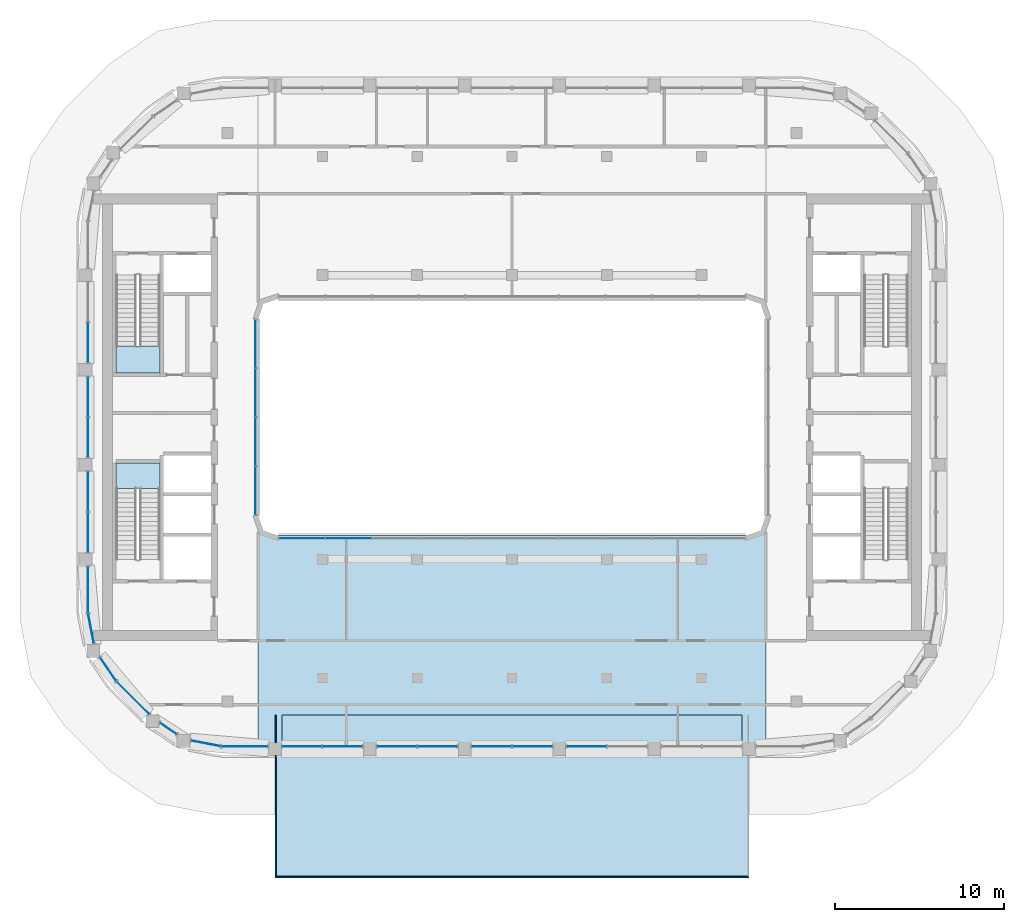
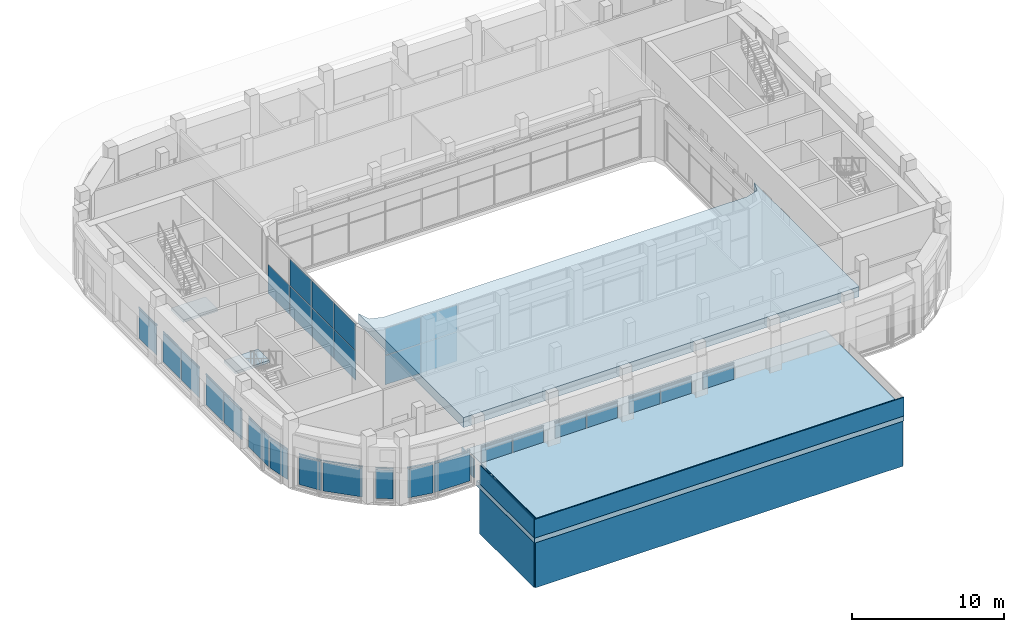
# One storey, part 10 of 23: 55 plates, 4 slabs, 18 elements without a shape of their own.
"""IFC4 building model written with IfcOpenShell, lengths in metres."""

from ifc_helpers import new_model, si_unit, direction, frame, origin, origin_2d, place, context, subcontext, project, spatial, polyline, rectangle, outline, extrude, material, layer, layer_set, type_object, element, aggregate, save


model = new_model("IFC4")

# Units and contexts
model_context = context("Model", 3, precision=1e-05, world=origin(), true_north=direction((0.0, 1.0)))
body_context = subcontext(model_context, "Body", "Model", "MODEL_VIEW")
ifc_project = project(units=[si_unit("LENGTHUNIT", "METRE"), si_unit("AREAUNIT", "SQUARE_METRE"), si_unit("VOLUMEUNIT", "CUBIC_METRE"), si_unit("PLANEANGLEUNIT", "RADIAN"), si_unit("MASSUNIT", "GRAM", prefix="KILO")], contexts=[model_context])

# Site, building, storey
site_placement = place(None, origin())
site = spatial("IfcSite", under=ifc_project, at=site_placement, CompositionType="ELEMENT")
building_placement = place(site_placement, origin())
building = spatial("IfcBuilding", under=site, at=building_placement, Name="Kiln Ring Residences", CompositionType="ELEMENT")
storey_placement = place(building_placement, frame((0.0, 0.0, 294.5)))
storey = spatial("IfcBuildingStorey", under=building, at=storey_placement, Name="L76", CompositionType="ELEMENT", Elevation=294.5)

# Stair, slab
ifc_material_1 = material(Name="Concrete C40/50", Category="concrete")
stair_type = type_object("IfcStairType", Name="CORE-STAIR", PredefinedType="HALF_TURN_STAIR", material=ifc_material_1)
placement_1 = place(storey_placement, origin())
stair_1 = element("IfcStair", 1, at=placement_1, inside=storey, type_object=stair_type, Name="L76 stair W-STN", PredefinedType="HALF_TURN_STAIR")
ifc_material_2 = material(Name="Concrete C40/50", Category="concrete")
ifc_layer_1 = layer(ifc_material_2, 0.199951171875)
ifc_layer_set_1 = layer_set([ifc_layer_1], Name="CORE-STAIR-LANDING")
slab_type_1 = type_object("IfcSlabType", Name="CORE-STAIR-LANDING", PredefinedType="LANDING", material=ifc_layer_set_1)
placement_2 = place(storey_placement, frame((0.0, 0.0, 2.5)))
slab_1 = element("IfcSlab", 2, at=placement_2, type_object=slab_type_1, Name="W-STN landing 1", PredefinedType="LANDING", context=body_context, shape_type="SweptSolid", body=[
    extrude(outline(polyline([(-23.39990234375, 4.199951171875), (-23.39990234375, 2.60009765625), (-20.800048828125, 2.60009765625), (-20.800048828125, 4.199951171875), (-23.39990234375, 4.199951171875)])), origin(), (0.0, 0.0, 1.0), 0.199951171875),
])
aggregate(stair_1, [slab_1])

stair_2 = element("IfcStair", 3, at=placement_1, inside=storey, type_object=stair_type, Name="L76 stair W-STS", PredefinedType="HALF_TURN_STAIR")
slab_2 = element("IfcSlab", 4, at=placement_2, type_object=slab_type_1, Name="W-STS landing 1", PredefinedType="LANDING", context=body_context, shape_type="SweptSolid", body=[
    extrude(outline(polyline([(-20.800048828125, -4.199951171875), (-20.800048828125, -2.699951171875), (-23.39990234375, -2.699951171875), (-23.39990234375, -4.199951171875), (-20.800048828125, -4.199951171875)])), origin(), (0.0, 0.0, 1.0), 0.199951171875),
])
aggregate(stair_2, [slab_2])

# Curtain wall, plates
ifc_material_3 = material(Name="Aluminium and glass", Category="aluminium")
ifc_layer_2 = layer(ifc_material_3, 0.179931640625)
ifc_layer_set_2 = layer_set([ifc_layer_2], Name="CW3 CURTAIN WALL")
curtain_wall_type_1 = type_object("IfcCurtainWallType", Name="CW3 CURTAIN WALL", PredefinedType="NOTDEFINED", material=ifc_layer_set_2)
curtain_wall_1 = element("IfcCurtainWall", 5, at=placement_1, inside=storey, type_object=curtain_wall_type_1, Name="Curtain wall CW3 L76", PredefinedType="NOTDEFINED")
ifc_material_4 = material(Name="Glass, clear laminated", Category="glass")
ifc_layer_3 = layer(ifc_material_4, 0.02392578125)
ifc_layer_set_3 = layer_set([ifc_layer_3], Name="CW3 PANEL 24")
plate_type_1 = type_object("IfcPlateType", Name="CW3 PANEL 24", PredefinedType="CURTAIN_PANEL", material=ifc_layer_set_3)
plate_1_placement = place(storey_placement, frame((-15.14990234375, -4.33740234375, 0.0498046875), z_axis=(0.0, 0.0, 1.0), x_axis=(0.0, 1.0, 0.0)))
plate_1 = element("IfcPlate", 6, at=plate_1_placement, type_object=plate_type_1, Name="CW3 panel 1.1", PredefinedType="CURTAIN_PANEL", context=body_context, shape_type="SweptSolid", body=[
    extrude(rectangle(XDim=2.824951171875, YDim=0.02392578125, at=origin_2d()), origin(), (0.0, 0.0, 1.0), 2.324951171875),
])
plate_2_placement = place(storey_placement, frame((-15.14990234375, -4.33740234375, 2.425048828125), z_axis=(0.0, 0.0, 1.0), x_axis=(0.0, 1.0, 0.0)))
plate_2 = element("IfcPlate", 7, at=plate_2_placement, type_object=plate_type_1, Name="CW3 panel 1.2", PredefinedType="CURTAIN_PANEL", context=body_context, shape_type="SweptSolid", body=[
    extrude(rectangle(XDim=2.824951171875, YDim=0.02392578125, at=origin_2d()), origin(), (0.0, 0.0, 1.0), 2.125),
])
plate_3_placement = place(storey_placement, frame((-15.14990234375, -1.449951171875, 0.0498046875), z_axis=(0.0, 0.0, 1.0), x_axis=(0.0, 1.0, 0.0)))
plate_3 = element("IfcPlate", 8, at=plate_3_placement, type_object=plate_type_1, Name="CW3 panel 2.1", PredefinedType="CURTAIN_PANEL", context=body_context, shape_type="SweptSolid", body=[
    extrude(rectangle(XDim=2.85009765625, YDim=0.02392578125, at=origin_2d()), origin(), (0.0, 0.0, 1.0), 2.324951171875),
])
plate_4_placement = place(storey_placement, frame((-15.14990234375, -1.449951171875, 2.425048828125), z_axis=(0.0, 0.0, 1.0), x_axis=(0.0, 1.0, 0.0)))
plate_4 = element("IfcPlate", 9, at=plate_4_placement, type_object=plate_type_1, Name="CW3 panel 2.2", PredefinedType="CURTAIN_PANEL", context=body_context, shape_type="SweptSolid", body=[
    extrude(rectangle(XDim=2.85009765625, YDim=0.02392578125, at=origin_2d()), origin(), (0.0, 0.0, 1.0), 2.125),
])
plate_5_placement = place(storey_placement, frame((-15.14990234375, 1.449951171875, 0.0498046875), z_axis=(0.0, 0.0, 1.0), x_axis=(0.0, 1.0, 0.0)))
plate_5 = element("IfcPlate", 10, at=plate_5_placement, type_object=plate_type_1, Name="CW3 panel 3.1", PredefinedType="CURTAIN_PANEL", context=body_context, shape_type="SweptSolid", body=[
    extrude(rectangle(XDim=2.85009765625, YDim=0.02392578125, at=origin_2d()), origin(), (0.0, 0.0, 1.0), 2.324951171875),
])
plate_6_placement = place(storey_placement, frame((-15.14990234375, 1.449951171875, 2.425048828125), z_axis=(0.0, 0.0, 1.0), x_axis=(0.0, 1.0, 0.0)))
plate_6 = element("IfcPlate", 11, at=plate_6_placement, type_object=plate_type_1, Name="CW3 panel 3.2", PredefinedType="CURTAIN_PANEL", context=body_context, shape_type="SweptSolid", body=[
    extrude(rectangle(XDim=2.85009765625, YDim=0.02392578125, at=origin_2d()), origin(), (0.0, 0.0, 1.0), 2.125),
])
plate_7_placement = place(storey_placement, frame((-15.14990234375, 4.33740234375, 0.0498046875), z_axis=(0.0, 0.0, 1.0), x_axis=(0.0, 1.0, 0.0)))
plate_7 = element("IfcPlate", 12, at=plate_7_placement, type_object=plate_type_1, Name="CW3 panel 4.1", PredefinedType="CURTAIN_PANEL", context=body_context, shape_type="SweptSolid", body=[
    extrude(rectangle(XDim=2.824951171875, YDim=0.02392578125, at=origin_2d()), origin(), (0.0, 0.0, 1.0), 2.324951171875),
])
aggregate(curtain_wall_1, [plate_1, plate_2, plate_3, plate_4, plate_5, plate_6, plate_7])

curtain_wall_2 = element("IfcCurtainWall", 13, at=placement_1, inside=storey, type_object=curtain_wall_type_1, Name="Curtain wall CW3 L76", PredefinedType="NOTDEFINED")
plate_8_placement = place(storey_placement, frame((-9.659912109375, -7.14990234375, 0.0498046875), z_axis=(0.0, 0.0, 1.0), x_axis=(-1.0, 0.0, 0.0)))
plate_8 = element("IfcPlate", 14, at=plate_8_placement, type_object=plate_type_1, Name="CW3 panel 9.1", PredefinedType="CURTAIN_PANEL", context=body_context, shape_type="SweptSolid", body=[
    extrude(rectangle(XDim=2.7099609375, YDim=0.02392578125, at=origin_2d()), origin(), (0.0, 0.0, 1.0), 2.324951171875),
])
plate_9_placement = place(storey_placement, frame((-9.659912109375, -7.14990234375, 2.425048828125), z_axis=(0.0, 0.0, 1.0), x_axis=(-1.0, 0.0, 0.0)))
plate_9 = element("IfcPlate", 15, at=plate_9_placement, type_object=plate_type_1, Name="CW3 panel 9.2", PredefinedType="CURTAIN_PANEL", context=body_context, shape_type="SweptSolid", body=[
    extrude(rectangle(XDim=2.7099609375, YDim=0.02392578125, at=origin_2d()), origin(), (0.0, 0.0, 1.0), 2.125),
])
plate_10_placement = place(storey_placement, frame((-12.407470703125, -7.14990234375, 0.0498046875), z_axis=(0.0, 0.0, 1.0), x_axis=(-1.0, 0.0, 0.0)))
plate_10 = element("IfcPlate", 16, at=plate_10_placement, type_object=plate_type_1, Name="CW3 panel 10.1", PredefinedType="CURTAIN_PANEL", context=body_context, shape_type="SweptSolid", body=[
    extrude(rectangle(XDim=2.68505859375, YDim=0.02392578125, at=origin_2d()), origin(), (0.0, 0.0, 1.0), 2.324951171875),
])
plate_11_placement = place(storey_placement, frame((-12.407470703125, -7.14990234375, 2.425048828125), z_axis=(0.0, 0.0, 1.0), x_axis=(-1.0, 0.0, 0.0)))
plate_11 = element("IfcPlate", 17, at=plate_11_placement, type_object=plate_type_1, Name="CW3 panel 10.2", PredefinedType="CURTAIN_PANEL", context=body_context, shape_type="SweptSolid", body=[
    extrude(rectangle(XDim=2.68505859375, YDim=0.02392578125, at=origin_2d()), origin(), (0.0, 0.0, 1.0), 2.125),
])
aggregate(curtain_wall_2, [plate_8, plate_9, plate_10, plate_11])

ifc_material_5 = material(Name="Aluminium and glass", Category="aluminium")
ifc_layer_4 = layer(ifc_material_5, 0.219970703125)
ifc_layer_set_4 = layer_set([ifc_layer_4], Name="CW5 CURTAIN WALL")
curtain_wall_type_2 = type_object("IfcCurtainWallType", Name="CW5 CURTAIN WALL", PredefinedType="NOTDEFINED", material=ifc_layer_set_4)
curtain_wall_3 = element("IfcCurtainWall", 18, at=placement_1, inside=storey, type_object=curtain_wall_type_2, Name="Curtain wall CW5 L76", PredefinedType="NOTDEFINED")
ifc_material_6 = material(Name="Glass, low-e laminated", Category="glass")
ifc_layer_5 = layer(ifc_material_6, 0.031982421875)
ifc_layer_set_5 = layer_set([ifc_layer_5], Name="CW5 PANEL 32")
plate_type_2 = type_object("IfcPlateType", Name="CW5 PANEL 32", PredefinedType="CURTAIN_PANEL", material=ifc_layer_set_5)
plate_12_placement = place(storey_placement, frame((-22.39990234375, -16.587890625, 0.06005859375), z_axis=(0.0, 0.0, 1.0), x_axis=(0.707106781187, -0.707106781187, 0.0)))
plate_12 = element("IfcPlate", 19, at=plate_12_placement, type_object=plate_type_2, Name="CW5 panel 1.1", PredefinedType="CURTAIN_PANEL", context=body_context, shape_type="SweptSolid", body=[
    extrude(rectangle(XDim=2.69970703125, YDim=0.031982421875, at=origin_2d()), origin(), (0.0, 0.0, 1.0), 2.31005859375),
])
plate_13_placement = place(storey_placement, frame((-22.39990234375, -16.587890625, 2.43017578125), z_axis=(0.0, 0.0, 1.0), x_axis=(0.707106781187, -0.707106781187, 0.0)))
plate_13 = element("IfcPlate", 20, at=plate_13_placement, type_object=plate_type_2, Name="CW5 panel 1.2", PredefinedType="CURTAIN_PANEL", context=body_context, shape_type="SweptSolid", body=[
    extrude(rectangle(XDim=2.69970703125, YDim=0.031982421875, at=origin_2d()), origin(), (0.0, 0.0, 1.0), 0.110107421875),
])
aggregate(curtain_wall_3, [plate_12, plate_13])

curtain_wall_4 = element("IfcCurtainWall", 21, at=placement_1, inside=storey, type_object=curtain_wall_type_2, Name="Curtain wall CW5 L76", PredefinedType="NOTDEFINED")
plate_14_placement = place(storey_placement, frame((-20.301025390625, -18.398681640625, 0.06005859375), z_axis=(0.0, 0.0, 1.0), x_axis=(0.827071553674, -0.562096651033, 0.0)))
plate_14 = element("IfcPlate", 22, at=plate_14_placement, type_object=plate_type_2, Name="CW5 panel 1.1", PredefinedType="CURTAIN_PANEL", context=body_context, shape_type="SweptSolid", body=[
    extrude(rectangle(XDim=1.177001953125, YDim=0.031982421875, at=origin_2d()), origin(), (0.0, 0.0, 1.0), 2.31005859375),
])
plate_15_placement = place(storey_placement, frame((-20.301025390625, -18.398681640625, 2.43017578125), z_axis=(0.0, 0.0, 1.0), x_axis=(0.827071553674, -0.562096651033, 0.0)))
plate_15 = element("IfcPlate", 23, at=plate_15_placement, type_object=plate_type_2, Name="CW5 panel 1.2", PredefinedType="CURTAIN_PANEL", context=body_context, shape_type="SweptSolid", body=[
    extrude(rectangle(XDim=1.177001953125, YDim=0.031982421875, at=origin_2d()), origin(), (0.0, 0.0, 1.0), 0.110107421875),
])
aggregate(curtain_wall_4, [plate_14, plate_15])

curtain_wall_5 = element("IfcCurtainWall", 24, at=placement_1, inside=storey, type_object=curtain_wall_type_2, Name="Curtain wall CW5 L76", PredefinedType="NOTDEFINED")
plate_16_placement = place(storey_placement, frame((-18.095703125, -19.2763671875, 0.06005859375), z_axis=(0.0, 0.0, 1.0), x_axis=(0.982290257784, -0.187365550364, 0.0)))
plate_16 = element("IfcPlate", 25, at=plate_16_placement, type_object=plate_type_2, Name="CW5 panel 1.1", PredefinedType="CURTAIN_PANEL", context=body_context, shape_type="SweptSolid", body=[
    extrude(rectangle(XDim=1.76123046875, YDim=0.031982421875, at=origin_2d()), origin(), (0.0, 0.0, 1.0), 2.31005859375),
])
plate_17_placement = place(storey_placement, frame((-18.095703125, -19.2763671875, 2.43017578125), z_axis=(0.0, 0.0, 1.0), x_axis=(0.982290257784, -0.187365550364, 0.0)))
plate_17 = element("IfcPlate", 26, at=plate_17_placement, type_object=plate_type_2, Name="CW5 panel 1.2", PredefinedType="CURTAIN_PANEL", context=body_context, shape_type="SweptSolid", body=[
    extrude(rectangle(XDim=1.76123046875, YDim=0.031982421875, at=origin_2d()), origin(), (0.0, 0.0, 1.0), 0.110107421875),
])
aggregate(curtain_wall_5, [plate_16, plate_17])

curtain_wall_6 = element("IfcCurtainWall", 27, at=placement_1, inside=storey, type_object=curtain_wall_type_2, Name="Curtain wall CW5 L76", PredefinedType="NOTDEFINED")
plate_18_placement = place(storey_placement, frame((-15.78759765625, -19.449951171875, 0.06005859375), z_axis=(0.0, 0.0, 1.0), x_axis=(1.0, 0.0, 0.0)))
plate_18 = element("IfcPlate", 28, at=plate_18_placement, type_object=plate_type_2, Name="CW5 panel 1.1", PredefinedType="CURTAIN_PANEL", context=body_context, shape_type="SweptSolid", body=[
    extrude(rectangle(XDim=2.705078125, YDim=0.031982421875, at=origin_2d()), origin(), (0.0, 0.0, 1.0), 2.31005859375),
])
plate_19_placement = place(storey_placement, frame((-15.78759765625, -19.449951171875, 2.43017578125), z_axis=(0.0, 0.0, 1.0), x_axis=(1.0, 0.0, 0.0)))
plate_19 = element("IfcPlate", 29, at=plate_19_placement, type_object=plate_type_2, Name="CW5 panel 1.2", PredefinedType="CURTAIN_PANEL", context=body_context, shape_type="SweptSolid", body=[
    extrude(rectangle(XDim=2.705078125, YDim=0.031982421875, at=origin_2d()), origin(), (0.0, 0.0, 1.0), 0.110107421875),
])
aggregate(curtain_wall_6, [plate_18, plate_19])

curtain_wall_7 = element("IfcCurtainWall", 30, at=placement_1, inside=storey, type_object=curtain_wall_type_2, Name="Curtain wall CW5 L76", PredefinedType="NOTDEFINED")
plate_20_placement = place(storey_placement, frame((-12.3974609375, -19.449951171875, 0.06005859375), z_axis=(0.0, 0.0, 1.0), x_axis=(1.0, 0.0, 0.0)))
plate_20 = element("IfcPlate", 31, at=plate_20_placement, type_object=plate_type_2, Name="CW5 panel 1.1", PredefinedType="CURTAIN_PANEL", context=body_context, shape_type="SweptSolid", body=[
    extrude(rectangle(XDim=2.3349609375, YDim=0.031982421875, at=origin_2d()), origin(), (0.0, 0.0, 1.0), 2.31005859375),
])
plate_21_placement = place(storey_placement, frame((-12.3974609375, -19.449951171875, 2.43017578125), z_axis=(0.0, 0.0, 1.0), x_axis=(1.0, 0.0, 0.0)))
plate_21 = element("IfcPlate", 32, at=plate_21_placement, type_object=plate_type_2, Name="CW5 panel 1.2", PredefinedType="CURTAIN_PANEL", context=body_context, shape_type="SweptSolid", body=[
    extrude(rectangle(XDim=2.3349609375, YDim=0.031982421875, at=origin_2d()), origin(), (0.0, 0.0, 1.0), 0.110107421875),
])
plate_22_placement = place(storey_placement, frame((-10.00244140625, -19.449951171875, 0.06005859375), z_axis=(0.0, 0.0, 1.0), x_axis=(1.0, 0.0, 0.0)))
plate_22 = element("IfcPlate", 33, at=plate_22_placement, type_object=plate_type_2, Name="CW5 panel 2.1", PredefinedType="CURTAIN_PANEL", context=body_context, shape_type="SweptSolid", body=[
    extrude(rectangle(XDim=2.3349609375, YDim=0.031982421875, at=origin_2d()), origin(), (0.0, 0.0, 1.0), 2.31005859375),
])
plate_23_placement = place(storey_placement, frame((-10.00244140625, -19.449951171875, 2.43017578125), z_axis=(0.0, 0.0, 1.0), x_axis=(1.0, 0.0, 0.0)))
plate_23 = element("IfcPlate", 34, at=plate_23_placement, type_object=plate_type_2, Name="CW5 panel 2.2", PredefinedType="CURTAIN_PANEL", context=body_context, shape_type="SweptSolid", body=[
    extrude(rectangle(XDim=2.3349609375, YDim=0.031982421875, at=origin_2d()), origin(), (0.0, 0.0, 1.0), 0.110107421875),
])
aggregate(curtain_wall_7, [plate_20, plate_21, plate_22, plate_23])

curtain_wall_8 = element("IfcCurtainWall", 35, at=placement_1, inside=storey, type_object=curtain_wall_type_2, Name="Curtain wall CW5 L76", PredefinedType="NOTDEFINED")
plate_24_placement = place(storey_placement, frame((-6.797607421875, -19.449951171875, 0.06005859375), z_axis=(0.0, 0.0, 1.0), x_axis=(1.0, 0.0, 0.0)))
plate_24 = element("IfcPlate", 36, at=plate_24_placement, type_object=plate_type_2, Name="CW5 panel 1.1", PredefinedType="CURTAIN_PANEL", context=body_context, shape_type="SweptSolid", body=[
    extrude(rectangle(XDim=2.3349609375, YDim=0.031982421875, at=origin_2d()), origin(), (0.0, 0.0, 1.0), 2.31005859375),
])
plate_25_placement = place(storey_placement, frame((-6.797607421875, -19.449951171875, 2.43017578125), z_axis=(0.0, 0.0, 1.0), x_axis=(1.0, 0.0, 0.0)))
plate_25 = element("IfcPlate", 37, at=plate_25_placement, type_object=plate_type_2, Name="CW5 panel 1.2", PredefinedType="CURTAIN_PANEL", context=body_context, shape_type="SweptSolid", body=[
    extrude(rectangle(XDim=2.3349609375, YDim=0.031982421875, at=origin_2d()), origin(), (0.0, 0.0, 1.0), 0.110107421875),
])
plate_26_placement = place(storey_placement, frame((-4.402587890625, -19.449951171875, 0.06005859375), z_axis=(0.0, 0.0, 1.0), x_axis=(1.0, 0.0, 0.0)))
plate_26 = element("IfcPlate", 38, at=plate_26_placement, type_object=plate_type_2, Name="CW5 panel 2.1", PredefinedType="CURTAIN_PANEL", context=body_context, shape_type="SweptSolid", body=[
    extrude(rectangle(XDim=2.3349609375, YDim=0.031982421875, at=origin_2d()), origin(), (0.0, 0.0, 1.0), 2.31005859375),
])
plate_27_placement = place(storey_placement, frame((-4.402587890625, -19.449951171875, 2.43017578125), z_axis=(0.0, 0.0, 1.0), x_axis=(1.0, 0.0, 0.0)))
plate_27 = element("IfcPlate", 39, at=plate_27_placement, type_object=plate_type_2, Name="CW5 panel 2.2", PredefinedType="CURTAIN_PANEL", context=body_context, shape_type="SweptSolid", body=[
    extrude(rectangle(XDim=2.3349609375, YDim=0.031982421875, at=origin_2d()), origin(), (0.0, 0.0, 1.0), 0.110107421875),
])
aggregate(curtain_wall_8, [plate_24, plate_25, plate_26, plate_27])

curtain_wall_9 = element("IfcCurtainWall", 40, at=placement_1, inside=storey, type_object=curtain_wall_type_2, Name="Curtain wall CW5 L76", PredefinedType="NOTDEFINED")
plate_28_placement = place(storey_placement, frame((-1.197509765625, -19.449951171875, 0.06005859375), z_axis=(0.0, 0.0, 1.0), x_axis=(1.0, 0.0, 0.0)))
plate_28 = element("IfcPlate", 41, at=plate_28_placement, type_object=plate_type_2, Name="CW5 panel 1.1", PredefinedType="CURTAIN_PANEL", context=body_context, shape_type="SweptSolid", body=[
    extrude(rectangle(XDim=2.3349609375, YDim=0.031982421875, at=origin_2d()), origin(), (0.0, 0.0, 1.0), 2.31005859375),
])
plate_29_placement = place(storey_placement, frame((-1.197509765625, -19.449951171875, 2.43017578125), z_axis=(0.0, 0.0, 1.0), x_axis=(1.0, 0.0, 0.0)))
plate_29 = element("IfcPlate", 42, at=plate_29_placement, type_object=plate_type_2, Name="CW5 panel 1.2", PredefinedType="CURTAIN_PANEL", context=body_context, shape_type="SweptSolid", body=[
    extrude(rectangle(XDim=2.3349609375, YDim=0.031982421875, at=origin_2d()), origin(), (0.0, 0.0, 1.0), 0.110107421875),
])
plate_30_placement = place(storey_placement, frame((1.197509765625, -19.449951171875, 0.06005859375), z_axis=(0.0, 0.0, 1.0), x_axis=(1.0, 0.0, 0.0)))
plate_30 = element("IfcPlate", 43, at=plate_30_placement, type_object=plate_type_2, Name="CW5 panel 2.1", PredefinedType="CURTAIN_PANEL", context=body_context, shape_type="SweptSolid", body=[
    extrude(rectangle(XDim=2.3349609375, YDim=0.031982421875, at=origin_2d()), origin(), (0.0, 0.0, 1.0), 2.31005859375),
])
plate_31_placement = place(storey_placement, frame((1.197509765625, -19.449951171875, 2.43017578125), z_axis=(0.0, 0.0, 1.0), x_axis=(1.0, 0.0, 0.0)))
plate_31 = element("IfcPlate", 44, at=plate_31_placement, type_object=plate_type_2, Name="CW5 panel 2.2", PredefinedType="CURTAIN_PANEL", context=body_context, shape_type="SweptSolid", body=[
    extrude(rectangle(XDim=2.3349609375, YDim=0.031982421875, at=origin_2d()), origin(), (0.0, 0.0, 1.0), 0.110107421875),
])
aggregate(curtain_wall_9, [plate_28, plate_29, plate_30, plate_31])

curtain_wall_10 = element("IfcCurtainWall", 45, at=placement_1, inside=storey, type_object=curtain_wall_type_2, Name="Curtain wall CW5 L76", PredefinedType="NOTDEFINED")
plate_32_placement = place(storey_placement, frame((4.402587890625, -19.449951171875, 0.06005859375), z_axis=(0.0, 0.0, 1.0), x_axis=(1.0, 0.0, 0.0)))
plate_32 = element("IfcPlate", 46, at=plate_32_placement, type_object=plate_type_2, Name="CW5 panel 1.1", PredefinedType="CURTAIN_PANEL", context=body_context, shape_type="SweptSolid", body=[
    extrude(rectangle(XDim=2.3349609375, YDim=0.031982421875, at=origin_2d()), origin(), (0.0, 0.0, 1.0), 2.31005859375),
])
plate_33_placement = place(storey_placement, frame((4.402587890625, -19.449951171875, 2.43017578125), z_axis=(0.0, 0.0, 1.0), x_axis=(1.0, 0.0, 0.0)))
plate_33 = element("IfcPlate", 47, at=plate_33_placement, type_object=plate_type_2, Name="CW5 panel 1.2", PredefinedType="CURTAIN_PANEL", context=body_context, shape_type="SweptSolid", body=[
    extrude(rectangle(XDim=2.3349609375, YDim=0.031982421875, at=origin_2d()), origin(), (0.0, 0.0, 1.0), 0.110107421875),
])
aggregate(curtain_wall_10, [plate_32, plate_33])

curtain_wall_11 = element("IfcCurtainWall", 48, at=placement_1, inside=storey, type_object=curtain_wall_type_2, Name="Curtain wall CW5 L76", PredefinedType="NOTDEFINED")
plate_34_placement = place(storey_placement, frame((-25.050048828125, 4.402587890625, 0.06005859375), z_axis=(0.0, 0.0, 1.0), x_axis=(0.0, -1.0, 0.0)))
plate_34 = element("IfcPlate", 49, at=plate_34_placement, type_object=plate_type_2, Name="CW5 panel 2.1", PredefinedType="CURTAIN_PANEL", context=body_context, shape_type="SweptSolid", body=[
    extrude(rectangle(XDim=2.3349609375, YDim=0.031982421875, at=origin_2d()), origin(), (0.0, 0.0, 1.0), 2.31005859375),
])
plate_35_placement = place(storey_placement, frame((-25.050048828125, 4.402587890625, 2.43017578125), z_axis=(0.0, 0.0, 1.0), x_axis=(0.0, -1.0, 0.0)))
plate_35 = element("IfcPlate", 50, at=plate_35_placement, type_object=plate_type_2, Name="CW5 panel 2.2", PredefinedType="CURTAIN_PANEL", context=body_context, shape_type="SweptSolid", body=[
    extrude(rectangle(XDim=2.3349609375, YDim=0.031982421875, at=origin_2d()), origin(), (0.0, 0.0, 1.0), 0.110107421875),
])
aggregate(curtain_wall_11, [plate_34, plate_35])

curtain_wall_12 = element("IfcCurtainWall", 51, at=placement_1, inside=storey, type_object=curtain_wall_type_2, Name="Curtain wall CW5 L76", PredefinedType="NOTDEFINED")
plate_36_placement = place(storey_placement, frame((-25.050048828125, 1.197509765625, 0.06005859375), z_axis=(0.0, 0.0, 1.0), x_axis=(0.0, -1.0, 0.0)))
plate_36 = element("IfcPlate", 52, at=plate_36_placement, type_object=plate_type_2, Name="CW5 panel 1.1", PredefinedType="CURTAIN_PANEL", context=body_context, shape_type="SweptSolid", body=[
    extrude(rectangle(XDim=2.3349609375, YDim=0.031982421875, at=origin_2d()), origin(), (0.0, 0.0, 1.0), 2.31005859375),
])
plate_37_placement = place(storey_placement, frame((-25.050048828125, 1.197509765625, 2.43017578125), z_axis=(0.0, 0.0, 1.0), x_axis=(0.0, -1.0, 0.0)))
plate_37 = element("IfcPlate", 53, at=plate_37_placement, type_object=plate_type_2, Name="CW5 panel 1.2", PredefinedType="CURTAIN_PANEL", context=body_context, shape_type="SweptSolid", body=[
    extrude(rectangle(XDim=2.3349609375, YDim=0.031982421875, at=origin_2d()), origin(), (0.0, 0.0, 1.0), 0.110107421875),
])
plate_38_placement = place(storey_placement, frame((-25.050048828125, -1.197509765625, 0.06005859375), z_axis=(0.0, 0.0, 1.0), x_axis=(0.0, -1.0, 0.0)))
plate_38 = element("IfcPlate", 54, at=plate_38_placement, type_object=plate_type_2, Name="CW5 panel 2.1", PredefinedType="CURTAIN_PANEL", context=body_context, shape_type="SweptSolid", body=[
    extrude(rectangle(XDim=2.3349609375, YDim=0.031982421875, at=origin_2d()), origin(), (0.0, 0.0, 1.0), 2.31005859375),
])
plate_39_placement = place(storey_placement, frame((-25.050048828125, -1.197509765625, 2.43017578125), z_axis=(0.0, 0.0, 1.0), x_axis=(0.0, -1.0, 0.0)))
plate_39 = element("IfcPlate", 55, at=plate_39_placement, type_object=plate_type_2, Name="CW5 panel 2.2", PredefinedType="CURTAIN_PANEL", context=body_context, shape_type="SweptSolid", body=[
    extrude(rectangle(XDim=2.3349609375, YDim=0.031982421875, at=origin_2d()), origin(), (0.0, 0.0, 1.0), 0.110107421875),
])
aggregate(curtain_wall_12, [plate_36, plate_37, plate_38, plate_39])

curtain_wall_13 = element("IfcCurtainWall", 56, at=placement_1, inside=storey, type_object=curtain_wall_type_2, Name="Curtain wall CW5 L76", PredefinedType="NOTDEFINED")
plate_40_placement = place(storey_placement, frame((-25.050048828125, -4.402587890625, 0.06005859375), z_axis=(0.0, 0.0, 1.0), x_axis=(0.0, -1.0, 0.0)))
plate_40 = element("IfcPlate", 57, at=plate_40_placement, type_object=plate_type_2, Name="CW5 panel 1.1", PredefinedType="CURTAIN_PANEL", context=body_context, shape_type="SweptSolid", body=[
    extrude(rectangle(XDim=2.3349609375, YDim=0.031982421875, at=origin_2d()), origin(), (0.0, 0.0, 1.0), 2.31005859375),
])
plate_41_placement = place(storey_placement, frame((-25.050048828125, -4.402587890625, 2.43017578125), z_axis=(0.0, 0.0, 1.0), x_axis=(0.0, -1.0, 0.0)))
plate_41 = element("IfcPlate", 58, at=plate_41_placement, type_object=plate_type_2, Name="CW5 panel 1.2", PredefinedType="CURTAIN_PANEL", context=body_context, shape_type="SweptSolid", body=[
    extrude(rectangle(XDim=2.3349609375, YDim=0.031982421875, at=origin_2d()), origin(), (0.0, 0.0, 1.0), 0.110107421875),
])
plate_42_placement = place(storey_placement, frame((-25.050048828125, -6.797607421875, 0.06005859375), z_axis=(0.0, 0.0, 1.0), x_axis=(0.0, -1.0, 0.0)))
plate_42 = element("IfcPlate", 59, at=plate_42_placement, type_object=plate_type_2, Name="CW5 panel 2.1", PredefinedType="CURTAIN_PANEL", context=body_context, shape_type="SweptSolid", body=[
    extrude(rectangle(XDim=2.3349609375, YDim=0.031982421875, at=origin_2d()), origin(), (0.0, 0.0, 1.0), 2.31005859375),
])
plate_43_placement = place(storey_placement, frame((-25.050048828125, -6.797607421875, 2.43017578125), z_axis=(0.0, 0.0, 1.0), x_axis=(0.0, -1.0, 0.0)))
plate_43 = element("IfcPlate", 60, at=plate_43_placement, type_object=plate_type_2, Name="CW5 panel 2.2", PredefinedType="CURTAIN_PANEL", context=body_context, shape_type="SweptSolid", body=[
    extrude(rectangle(XDim=2.3349609375, YDim=0.031982421875, at=origin_2d()), origin(), (0.0, 0.0, 1.0), 0.110107421875),
])
aggregate(curtain_wall_13, [plate_40, plate_41, plate_42, plate_43])

curtain_wall_14 = element("IfcCurtainWall", 61, at=placement_1, inside=storey, type_object=curtain_wall_type_2, Name="Curtain wall CW5 L76", PredefinedType="NOTDEFINED")
plate_44_placement = place(storey_placement, frame((-25.050048828125, -10.1875, 0.06005859375), z_axis=(0.0, 0.0, 1.0), x_axis=(0.0, -1.0, 0.0)))
plate_44 = element("IfcPlate", 62, at=plate_44_placement, type_object=plate_type_2, Name="CW5 panel 1.1", PredefinedType="CURTAIN_PANEL", context=body_context, shape_type="SweptSolid", body=[
    extrude(rectangle(XDim=2.705078125, YDim=0.031982421875, at=origin_2d()), origin(), (0.0, 0.0, 1.0), 2.31005859375),
])
plate_45_placement = place(storey_placement, frame((-25.050048828125, -10.1875, 2.43017578125), z_axis=(0.0, 0.0, 1.0), x_axis=(0.0, -1.0, 0.0)))
plate_45 = element("IfcPlate", 63, at=plate_45_placement, type_object=plate_type_2, Name="CW5 panel 1.2", PredefinedType="CURTAIN_PANEL", context=body_context, shape_type="SweptSolid", body=[
    extrude(rectangle(XDim=2.705078125, YDim=0.031982421875, at=origin_2d()), origin(), (0.0, 0.0, 1.0), 0.110107421875),
])
aggregate(curtain_wall_14, [plate_44, plate_45])

curtain_wall_15 = element("IfcCurtainWall", 64, at=placement_1, inside=storey, type_object=curtain_wall_type_2, Name="Curtain wall CW5 L76", PredefinedType="NOTDEFINED")
plate_46_placement = place(storey_placement, frame((-24.87646484375, -12.495849609375, 0.06005859375), z_axis=(0.0, 0.0, 1.0), x_axis=(0.187365550364, -0.982290257784, 0.0)))
plate_46 = element("IfcPlate", 65, at=plate_46_placement, type_object=plate_type_2, Name="CW5 panel 1.1", PredefinedType="CURTAIN_PANEL", context=body_context, shape_type="SweptSolid", body=[
    extrude(rectangle(XDim=1.76123046875, YDim=0.031982421875, at=origin_2d()), origin(), (0.0, 0.0, 1.0), 2.31005859375),
])
plate_47_placement = place(storey_placement, frame((-24.87646484375, -12.495849609375, 2.43017578125), z_axis=(0.0, 0.0, 1.0), x_axis=(0.187365550364, -0.982290257784, 0.0)))
plate_47 = element("IfcPlate", 66, at=plate_47_placement, type_object=plate_type_2, Name="CW5 panel 1.2", PredefinedType="CURTAIN_PANEL", context=body_context, shape_type="SweptSolid", body=[
    extrude(rectangle(XDim=1.76123046875, YDim=0.031982421875, at=origin_2d()), origin(), (0.0, 0.0, 1.0), 0.110107421875),
])
aggregate(curtain_wall_15, [plate_46, plate_47])

curtain_wall_16 = element("IfcCurtainWall", 67, at=placement_1, inside=storey, type_object=curtain_wall_type_2, Name="Curtain wall CW5 L76", PredefinedType="NOTDEFINED")
plate_48_placement = place(storey_placement, frame((-23.87109375, -14.888671875, 0.06005859375), z_axis=(0.0, 0.0, 1.0), x_axis=(0.562096651134, -0.827071553606, 0.0)))
plate_48 = element("IfcPlate", 68, at=plate_48_placement, type_object=plate_type_2, Name="CW5 panel 1.1", PredefinedType="CURTAIN_PANEL", context=body_context, shape_type="SweptSolid", body=[
    extrude(rectangle(XDim=1.630859375, YDim=0.031982421875, at=origin_2d()), origin(), (0.0, 0.0, 1.0), 2.31005859375),
])
plate_49_placement = place(storey_placement, frame((-23.87109375, -14.888671875, 2.43017578125), z_axis=(0.0, 0.0, 1.0), x_axis=(0.562096651134, -0.827071553606, 0.0)))
plate_49 = element("IfcPlate", 69, at=plate_49_placement, type_object=plate_type_2, Name="CW5 panel 1.2", PredefinedType="CURTAIN_PANEL", context=body_context, shape_type="SweptSolid", body=[
    extrude(rectangle(XDim=1.630859375, YDim=0.031982421875, at=origin_2d()), origin(), (0.0, 0.0, 1.0), 0.110107421875),
])
aggregate(curtain_wall_16, [plate_48, plate_49])

# Slabs
ifc_material_7 = material(Name="Concrete C40/50", Category="concrete")
ifc_layer_6 = layer(ifc_material_7, 0.39990234375)
ifc_layer_set_6 = layer_set([ifc_layer_6], Name="Floor slab 400 external")
slab_type_2 = type_object("IfcSlabType", Name="Floor slab 400 external", PredefinedType="FLOOR", material=ifc_layer_set_6)
slab_3_placement = place(storey_placement, frame((0.0, 0.0, -0.39990234375)))
element("IfcSlab", 70, at=slab_3_placement, inside=storey, type_object=slab_type_2, Name="Floor slab L76 2", PredefinedType="FLOOR", context=body_context, shape_type="SweptSolid", body=[
    extrude(outline(polyline([(14.0, -19.6005859375), (-14.0, -19.6005859375), (-14.0, -27.199951171875), (14.0, -27.199951171875), (14.0, -19.6005859375)])), origin(), (0.0, 0.0, 1.0), 0.39990234375),
])
ifc_material_8 = material(Name="Concrete C40/50", Category="concrete")
ifc_layer_7 = layer(ifc_material_8, 0.800048828125)
ifc_layer_set_7 = layer_set([ifc_layer_7], Name="Roof slab 800")
slab_type_3 = type_object("IfcSlabType", Name="Roof slab 800", PredefinedType="ROOF", material=ifc_layer_set_7)
slab_4_placement = place(storey_placement, frame((0.0, 0.0, 4.60009765625)))
element("IfcSlab", 71, at=slab_4_placement, inside=storey, type_object=slab_type_3, Name="Roof slab L76 1", PredefinedType="ROOF", context=body_context, shape_type="SweptSolid", body=[
    extrude(outline(polyline([(14.99951171875, -19.60009765625), (14.99951171875, -5.801513671875), (14.699951171875, -6.699951171875), (13.800048828125, -7.0), (-13.800048828125, -7.0), (-14.699951171875, -6.699951171875), (-14.99951171875, -5.801513671875), (-14.99951171875, -19.60009765625), (14.99951171875, -19.60009765625)])), origin(), (0.0, 0.0, 1.0), 0.7998046875),
])

# Plates
ifc_material_9 = material(Name="Glass, laminated structural, light blue tint", Category="glass")
ifc_layer_8 = layer(ifc_material_9, 0.080078125)
ifc_layer_set_8 = layer_set([ifc_layer_8], Name="SKY POOL GLASS WALL 80")
plate_type_3 = type_object("IfcPlateType", Name="SKY POOL GLASS WALL 80", PredefinedType="SHEET", material=ifc_layer_set_8)
plate_50_placement = place(storey_placement, frame((0.0, -27.159912109375, 0.0), z_axis=(0.0, 0.0, 1.0), x_axis=(1.0, 0.0, 0.0)))
element("IfcPlate", 72, at=plate_50_placement, inside=storey, type_object=plate_type_3, Name="SKY POOL GLASS WALL S1", PredefinedType="SHEET", context=body_context, shape_type="SweptSolid", body=[
    extrude(rectangle(XDim=28.0, YDim=0.080078125, at=origin_2d()), origin(), (0.0, 0.0, 1.0), 1.5),
])
plate_51_placement = place(storey_placement, frame((-13.9599609375, -23.547607421875, 0.0), z_axis=(0.0, 0.0, 1.0), x_axis=(1.0, 0.0, 0.0)))
element("IfcPlate", 73, at=plate_51_placement, inside=storey, type_object=plate_type_3, Name="SKY POOL GLASS WALL W1", PredefinedType="SHEET", context=body_context, shape_type="SweptSolid", body=[
    extrude(rectangle(XDim=0.080078125, YDim=7.14501953125, at=origin_2d()), origin(), (0.0, 0.0, 1.0), 1.5),
])
plate_52_placement = place(storey_placement, frame((-13.9599609375, -18.41259765625, 0.0), z_axis=(0.0, 0.0, 1.0), x_axis=(1.0, 0.0, 0.0)))
element("IfcPlate", 74, at=plate_52_placement, inside=storey, type_object=plate_type_3, Name="SKY POOL GLASS WALL W2", PredefinedType="SHEET", context=body_context, shape_type="SweptSolid", body=[
    extrude(rectangle(XDim=0.080078125, YDim=1.625, at=origin_2d()), origin(), (0.0, 0.0, 1.0), 1.5),
])
ifc_material_10 = material(Name="Glass, laminated structural, light blue tint", Category="glass")
ifc_layer_9 = layer(ifc_material_10, 0.080078125)
ifc_layer_set_9 = layer_set([ifc_layer_9], Name="SKY POOL TANK SKIRT 80")
plate_type_4 = type_object("IfcPlateType", Name="SKY POOL TANK SKIRT 80", PredefinedType="SHEET", material=ifc_layer_set_9)
plate_53_placement = place(storey_placement, frame((0.0, -27.159912109375, -4.0), z_axis=(0.0, 0.0, 1.0), x_axis=(1.0, 0.0, 0.0)))
element("IfcPlate", 75, at=plate_53_placement, inside=storey, type_object=plate_type_4, Name="SKY POOL TANK SKIRT S", PredefinedType="SHEET", context=body_context, shape_type="SweptSolid", body=[
    extrude(rectangle(XDim=27.840087890625, YDim=0.080078125, at=origin_2d()), origin(), (0.0, 0.0, 1.0), 3.60009765625),
])
plate_54_placement = place(storey_placement, frame((-13.9599609375, -23.547607421875, -4.0), z_axis=(0.0, 0.0, 1.0), x_axis=(1.0, 0.0, 0.0)))
element("IfcPlate", 76, at=plate_54_placement, inside=storey, type_object=plate_type_4, Name="SKY POOL TANK SKIRT W", PredefinedType="SHEET", context=body_context, shape_type="SweptSolid", body=[
    extrude(rectangle(XDim=0.080078125, YDim=7.14501953125, at=origin_2d()), origin(), (0.0, 0.0, 1.0), 3.60009765625),
])
ifc_material_11 = material(Name="Water, light blue")
ifc_layer_10 = layer(ifc_material_11, 0.050048828125)
ifc_layer_set_10 = layer_set([ifc_layer_10], Name="SKY POOL WATER SURFACE 50")
plate_type_5 = type_object("IfcPlateType", Name="SKY POOL WATER SURFACE 50", PredefinedType="SHEET", material=ifc_layer_set_10)
plate_55_placement = place(storey_placement, frame((0.0, -22.360107421875, 1.14990234375), z_axis=(0.0, 0.0, 1.0), x_axis=(1.0, 0.0, 0.0)))
element("IfcPlate", 77, at=plate_55_placement, inside=storey, type_object=plate_type_5, Name="SKY POOL WATER SURFACE", PredefinedType="SHEET", context=body_context, shape_type="SweptSolid", body=[
    extrude(rectangle(XDim=27.2099609375, YDim=9.52001953125, at=origin_2d()), origin(), (0.0, 0.0, 1.0), 0.050048828125),
])

save(model, "model.ifc")
